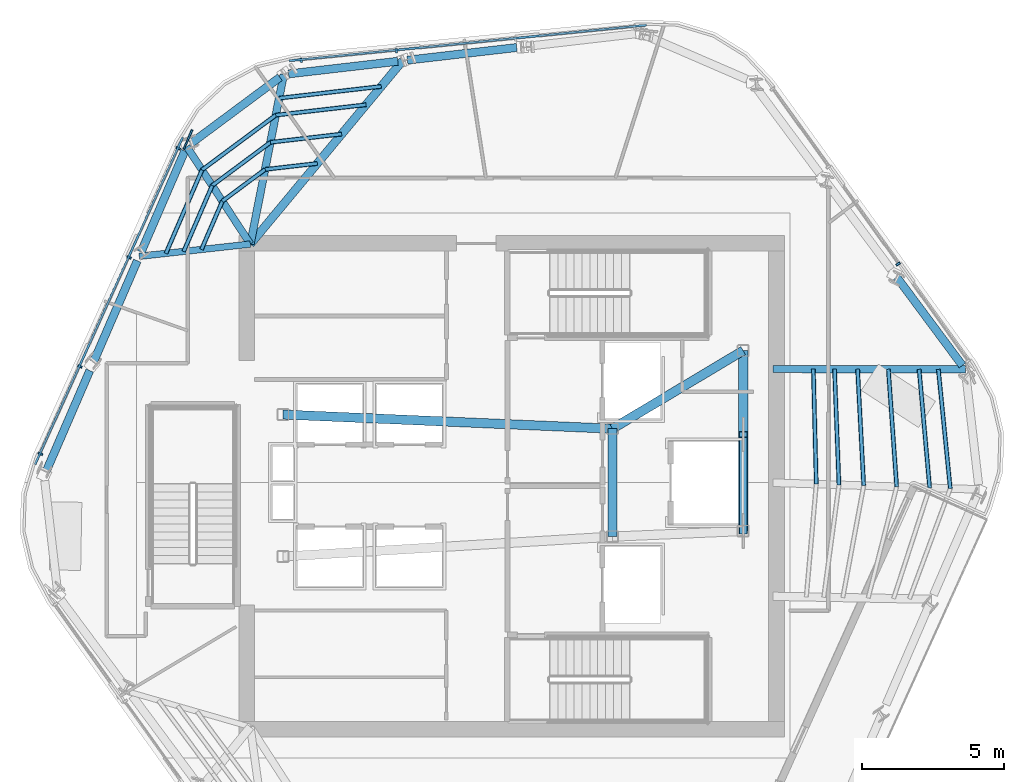
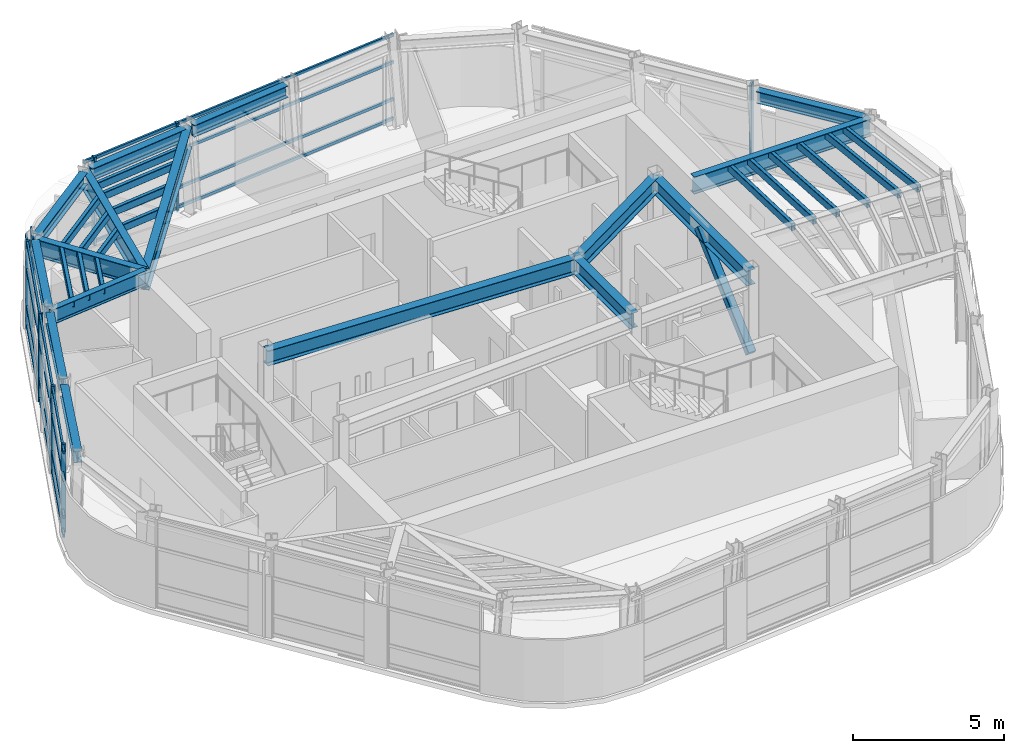
# One storey, part 3 of 12: 33 members, 16 beams, 3 elements without a shape of their own.
"""IFC4 building model written with IfcOpenShell, lengths in metres."""

from ifc_helpers import new_model, si_unit, direction, frame, origin, origin_2d, place, context, subcontext, project, spatial, rectangle, hollow_rectangle, i_section, extrude, material, layer, layer_set, material_profile, profile_set, type_object, element, aggregate, save


model = new_model("IFC4")

# Units and contexts
model_context = context("Model", 3, precision=1e-05, world=origin(), true_north=direction((0.0, 1.0)))
body_context = subcontext(model_context, "Body", "Model", "MODEL_VIEW")
ifc_project = project(units=[si_unit("LENGTHUNIT", "METRE"), si_unit("AREAUNIT", "SQUARE_METRE"), si_unit("VOLUMEUNIT", "CUBIC_METRE"), si_unit("PLANEANGLEUNIT", "RADIAN"), si_unit("MASSUNIT", "GRAM", prefix="KILO")], contexts=[model_context])

# Site, building, storey
site_placement = place(None, origin())
site = spatial("IfcSite", under=ifc_project, at=site_placement, CompositionType="ELEMENT")
building_placement = place(site_placement, origin())
building = spatial("IfcBuilding", under=site, at=building_placement, Name="Valkerne Bourse Tower", CompositionType="ELEMENT")
storey_placement = place(building_placement, frame((0.0, 0.0, 307.800048828125)))
storey = spatial("IfcBuildingStorey", under=building, at=storey_placement, Name="L78", CompositionType="ELEMENT", Elevation=307.800048828125)

# Beams
ifc_material_1 = material(Name="Steel ASTM A992", Category="steel")
ifc_material_profile_1 = material_profile(ifc_material_1, i_section(OverallWidth=0.284423828125, OverallDepth=0.47509765625, WebThickness=0.014892578125, FlangeThickness=0.02392578125, FilletRadius=0.017822265625, at=origin_2d()), Name="W18X106")
ifc_profile_set_1 = profile_set([ifc_material_profile_1], Name="Steel ASTM A992")
beam_type_1 = type_object("IfcBeamType", Name="BM-W18X106", PredefinedType="BEAM", material=ifc_profile_set_1)
for number, where, z_axis, x_axis, name in (
    (1, (46.976318359375, 42.320556640625, 3.342529296875), (-0.993372158688, -0.114942395766, 0.0), (0.114942395766, -0.993372158688, 0.0), "L78 Hexagonal Spandrel Ring Beam 01"),
    (2, (42.792236328125, 41.83642578125, 3.342529296875), (-0.993372158688, -0.114942395766, 0.0), (0.114942395766, -0.993372158688, 0.0), "L78 Hexagonal Spandrel Ring Beam 02"),
):
    element("IfcBeam", number, at=place(storey_placement, frame(where, z_axis=z_axis, x_axis=x_axis)), inside=storey, type_object=beam_type_1, Name=name, PredefinedType="BEAM", context=body_context, shape_type="SweptSolid", body=[
        extrude(i_section(OverallWidth=0.284423828125, OverallDepth=0.47509765625, WebThickness=0.014892578125, FlangeThickness=0.02392578125, FilletRadius=0.017822265625, at=origin_2d()), origin(), (0.0, 0.0, 1.0), 3.8720703125),
    ])
beam_1_placement = place(storey_placement, frame((38.640380859375, 41.2705078125, 3.342529296875), z_axis=(-0.80278222181, -0.596272340751, 0.0), x_axis=(0.596272340751, -0.80278222181, 0.0)))
element("IfcBeam", 3, at=beam_1_placement, inside=storey, type_object=beam_type_1, Name="L78 Hexagonal Spandrel Ring Beam 03", PredefinedType="BEAM", context=body_context, shape_type="SweptSolid", body=[
    extrude(i_section(OverallWidth=0.284423828125, OverallDepth=0.47509765625, WebThickness=0.014892578125, FlangeThickness=0.02392578125, FilletRadius=0.017822265625, at=origin_2d()), origin(), (0.0, 0.0, 1.0), 3.91552734375),
])
beam_2_placement = place(storey_placement, frame((35.29296875, 38.678466796875, 3.342529296875), z_axis=(-0.397173863721, -0.91774338569, 0.0), x_axis=(0.91774338569, -0.397173863721, 0.0)))
element("IfcBeam", 4, at=beam_2_placement, inside=storey, type_object=beam_type_1, Name="L78 Hexagonal Spandrel Ring Beam 04", PredefinedType="BEAM", context=body_context, shape_type="SweptSolid", body=[
    extrude(i_section(OverallWidth=0.284423828125, OverallDepth=0.47509765625, WebThickness=0.014892578125, FlangeThickness=0.02392578125, FilletRadius=0.017822265625, at=origin_2d()), origin(), (0.0, 0.0, 1.0), 3.8720703125),
])
beam_3_placement = place(storey_placement, frame((33.6201171875, 34.81298828125, 3.342529296875), z_axis=(-0.397120754749, -0.917766367954, 0.0), x_axis=(0.917766367954, -0.397120754749, 0.0)))
element("IfcBeam", 5, at=beam_3_placement, inside=storey, type_object=beam_type_1, Name="L78 Hexagonal Spandrel Ring Beam 05", PredefinedType="BEAM", context=body_context, shape_type="SweptSolid", body=[
    extrude(i_section(OverallWidth=0.284423828125, OverallDepth=0.47509765625, WebThickness=0.014892578125, FlangeThickness=0.02392578125, FilletRadius=0.017822265625, at=origin_2d()), origin(), (0.0, 0.0, 1.0), 3.871826171875),
])
beam_4_placement = place(storey_placement, frame((31.947509765625, 30.947509765625, 3.342529296875), z_axis=(-0.397150881701, -0.917753331328, 0.0), x_axis=(0.917753331328, -0.397150881701, 0.0)))
element("IfcBeam", 6, at=beam_4_placement, inside=storey, type_object=beam_type_1, Name="L78 Hexagonal Spandrel Ring Beam 06", PredefinedType="BEAM", context=body_context, shape_type="SweptSolid", body=[
    extrude(i_section(OverallWidth=0.284423828125, OverallDepth=0.47509765625, WebThickness=0.014892578125, FlangeThickness=0.02392578125, FilletRadius=0.017822265625, at=origin_2d()), origin(), (0.0, 0.0, 1.0), 3.8720703125),
])
beam_5_placement = place(storey_placement, frame((62.66748046875, 31.126220703125, 3.342529296875), z_axis=(-0.596240412331, 0.802805935892, 0.0), x_axis=(-0.802805935892, -0.596240412331, 0.0)))
element("IfcBeam", 7, at=beam_5_placement, inside=storey, type_object=beam_type_1, Name="L78 Hexagonal Spandrel Ring Beam 20", PredefinedType="BEAM", context=body_context, shape_type="SweptSolid", body=[
    extrude(i_section(OverallWidth=0.284423828125, OverallDepth=0.47509765625, WebThickness=0.014892578125, FlangeThickness=0.02392578125, FilletRadius=0.017822265625, at=origin_2d()), origin(), (0.0, 0.0, 1.0), 3.871826171875),
])
ifc_material_profile_2 = material_profile(ifc_material_1, i_section(OverallWidth=0.3251953125, OverallDepth=0.612060546875, WebThickness=0.0126953125, FlangeThickness=0.01904296875, FilletRadius=0.020263671875, at=origin_2d()), Name="W24X104")
ifc_profile_set_2 = profile_set([ifc_material_profile_2], Name="Steel ASTM A992")
beam_type_2 = type_object("IfcBeamType", Name="BM-W24X104", PredefinedType="BEAM", material=ifc_profile_set_2)
beam_6_placement = place(storey_placement, frame((50.35009765625, 25.10009765625, 3.27392578125), z_axis=(0.0, 1.0, 0.0), x_axis=(-1.0, 0.0, 0.0)))
element("IfcBeam", 8, at=beam_6_placement, inside=storey, type_object=beam_type_2, Name="L78 Core Frame Girder CG-CE", PredefinedType="BEAM", context=body_context, shape_type="SweptSolid", body=[
    extrude(i_section(OverallWidth=0.3251953125, OverallDepth=0.612060546875, WebThickness=0.0126953125, FlangeThickness=0.01904296875, FilletRadius=0.020263671875, at=origin_2d()), origin(), (0.0, 0.0, 1.0), 3.7998046875),
])
beam_7_placement = place(storey_placement, frame((50.35009765625, 28.89990234375, 3.27392578125), z_axis=(0.858307823492, 0.513135148019, 0.0), x_axis=(-0.513135148019, 0.858307823492, 0.0)))
element("IfcBeam", 9, at=beam_7_placement, inside=storey, type_object=beam_type_2, Name="L78 Core Frame Girder CG-NE", PredefinedType="BEAM", context=body_context, shape_type="SweptSolid", body=[
    extrude(i_section(OverallWidth=0.3251953125, OverallDepth=0.612060546875, WebThickness=0.0126953125, FlangeThickness=0.01904296875, FilletRadius=0.020263671875, at=origin_2d()), origin(), (0.0, 0.0, 1.0), 5.359130859375),
])
beam_8_placement = place(storey_placement, frame((54.949951171875, 25.300048828125, 3.27392578125), z_axis=(0.0, 1.0, 0.0), x_axis=(-1.0, 0.0, 0.0)))
element("IfcBeam", 10, at=beam_8_placement, inside=storey, type_object=beam_type_2, Name="L78 Core Frame Girder CG-EE", PredefinedType="BEAM", context=body_context, shape_type="SweptSolid", body=[
    extrude(i_section(OverallWidth=0.3251953125, OverallDepth=0.612060546875, WebThickness=0.0126953125, FlangeThickness=0.01904296875, FilletRadius=0.020263671875, at=origin_2d()), origin(), (0.0, 0.0, 1.0), 6.349853515625),
])
beam_9_placement = place(storey_placement, frame((38.75, 29.39990234375, 3.27392578125), z_axis=(0.999072354402, -0.043063101019, 0.0), x_axis=(0.043063101019, 0.999072354402, 0.0)))
element("IfcBeam", 11, at=beam_9_placement, inside=storey, type_object=beam_type_2, Name="L78 Core Frame Girder CG-NW", PredefinedType="BEAM", context=body_context, shape_type="SweptSolid", body=[
    extrude(i_section(OverallWidth=0.3251953125, OverallDepth=0.612060546875, WebThickness=0.0126953125, FlangeThickness=0.01904296875, FilletRadius=0.020263671875, at=origin_2d()), origin(), (0.0, 0.0, 1.0), 11.61083984375),
])
ifc_material_profile_3 = material_profile(ifc_material_1, i_section(OverallWidth=0.228271484375, OverallDepth=0.607177734375, WebThickness=0.01123046875, FlangeThickness=0.017333984375, FilletRadius=0.017822265625, at=origin_2d()), Name="W24X76")
ifc_profile_set_3 = profile_set([ifc_material_profile_3], Name="Steel ASTM A992")
beam_type_3 = type_object("IfcBeamType", Name="BM-W24X76", PredefinedType="JOIST", material=ifc_profile_set_3)
beam_10_placement = place(storey_placement, frame((33.687744140625, 34.968994140625, 3.2763671875), z_axis=(0.993989178124, 0.109478371257, 0.0), x_axis=(-0.109478371257, 0.993989178124, 0.0)))
element("IfcBeam", 12, at=beam_10_placement, inside=storey, type_object=beam_type_3, Name="L78 Radial Composite Floor Beam 05", PredefinedType="JOIST", context=body_context, shape_type="SweptSolid", body=[
    extrude(i_section(OverallWidth=0.228271484375, OverallDepth=0.607177734375, WebThickness=0.01123046875, FlangeThickness=0.017333984375, FilletRadius=0.017822265625, at=origin_2d()), origin(), (0.0, 0.0, 1.0), 3.93603515625),
])
ifc_material_profile_4 = material_profile(ifc_material_1, i_section(OverallWidth=0.255859375, OverallDepth=0.693359375, WebThickness=0.014404296875, FlangeThickness=0.023681640625, FilletRadius=0.02294921875, at=origin_2d()), Name="W27X114")
ifc_profile_set_4 = profile_set([ifc_material_profile_4], Name="Steel ASTM A992")
beam_type_4 = type_object("IfcBeamType", Name="BM-W27X114", PredefinedType="BEAM", material=ifc_profile_set_4)
beam_11_placement = place(storey_placement, frame((35.360595703125, 38.83447265625, 3.233154296875), z_axis=(0.546193309421, -0.837659160246, 0.0), x_axis=(0.837659160246, 0.546193309421, 0.0)))
element("IfcBeam", 13, at=beam_11_placement, inside=storey, type_object=beam_type_4, Name="L78 Radial Composite Floor Beam 04", PredefinedType="BEAM", context=body_context, shape_type="SweptSolid", body=[
    extrude(i_section(OverallWidth=0.255859375, OverallDepth=0.693359375, WebThickness=0.014404296875, FlangeThickness=0.023681640625, FilletRadius=0.02294921875, at=origin_2d()), origin(), (0.0, 0.0, 1.0), 4.10009765625),
])
beam_12_placement = place(storey_placement, frame((62.768798828125, 30.98974609375, 3.233154296875), z_axis=(-0.999998852574, 0.00151487653, 0.0), x_axis=(-0.00151487653, -0.999998852574, 0.0)))
element("IfcBeam", 14, at=beam_12_placement, inside=storey, type_object=beam_type_4, Name="L78 Radial Composite Floor Beam 20", PredefinedType="BEAM", context=body_context, shape_type="SweptSolid", body=[
    extrude(i_section(OverallWidth=0.255859375, OverallDepth=0.693359375, WebThickness=0.014404296875, FlangeThickness=0.023681640625, FilletRadius=0.02294921875, at=origin_2d()), origin(), (0.0, 0.0, 1.0), 6.768798828125),
])
ifc_material_profile_5 = material_profile(ifc_material_1, i_section(OverallWidth=0.26806640625, OverallDepth=0.76953125, WebThickness=0.015625, FlangeThickness=0.025390625, FilletRadius=0.025390625, at=origin_2d()), Name="W30X132")
ifc_profile_set_5 = profile_set([ifc_material_profile_5], Name="Steel ASTM A992")
beam_type_5 = type_object("IfcBeamType", Name="BM-W30X132", PredefinedType="BEAM", material=ifc_profile_set_5)
beam_13_placement = place(storey_placement, frame((38.777099609375, 41.371826171875, 3.195068359375), z_axis=(-0.193369386964, -0.981126026658, 0.0), x_axis=(0.981126026658, -0.193369386964, 0.0)))
element("IfcBeam", 15, at=beam_13_placement, inside=storey, type_object=beam_type_5, Name="L78 Radial Composite Floor Beam 03", PredefinedType="BEAM", context=body_context, shape_type="SweptSolid", body=[
    extrude(i_section(OverallWidth=0.26806640625, OverallDepth=0.76953125, WebThickness=0.015625, FlangeThickness=0.025390625, FilletRadius=0.025390625, at=origin_2d()), origin(), (0.0, 0.0, 1.0), 6.0869140625),
])
ifc_material_profile_6 = material_profile(ifc_material_1, i_section(OverallWidth=0.2919921875, OverallDepth=0.8583984375, WebThickness=0.01708984375, FlangeThickness=0.031005859375, FilletRadius=0.025390625, at=origin_2d()), Name="W33X169")
ifc_profile_set_6 = profile_set([ifc_material_profile_6], Name="Steel ASTM A992")
beam_type_6 = type_object("IfcBeamType", Name="BM-W33X169", PredefinedType="BEAM", material=ifc_profile_set_6)
beam_14_placement = place(storey_placement, frame((42.961181640625, 41.85595703125, 3.150634765625), z_axis=(-0.638849933327, -0.769331373783, 0.0), x_axis=(0.769331373783, -0.638849933327, 0.0)))
element("IfcBeam", 16, at=beam_14_placement, inside=storey, type_object=beam_type_6, Name="L78 Radial Composite Floor Beam 02", PredefinedType="BEAM", context=body_context, shape_type="SweptSolid", body=[
    extrude(i_section(OverallWidth=0.2919921875, OverallDepth=0.8583984375, WebThickness=0.01708984375, FlangeThickness=0.031005859375, FilletRadius=0.025390625, at=origin_2d()), origin(), (0.0, 0.0, 1.0), 8.391845703125),
])

# Curtain wall, members
ifc_material_2 = material(Name="Aluminium AA 6063-T6", Category="aluminium")
ifc_layer = layer(ifc_material_2, 0.2451171875)
ifc_layer_set = layer_set([ifc_layer], Name="Aluminium AA 6063-T6")
curtain_wall_type = type_object("IfcCurtainWallType", Name="CW-05", PredefinedType="NOTDEFINED", material=ifc_layer_set)
curtain_wall_1_placement = place(storey_placement, origin())
curtain_wall_1 = element("IfcCurtainWall", 17, at=curtain_wall_1_placement, inside=storey, type_object=curtain_wall_type, Name="L78 Hexagonal Stick Curtain Wall Face 1", PredefinedType="NOTDEFINED")
ifc_material_profile_7 = material_profile(ifc_material_2, rectangle(XDim=0.074951171875, YDim=0.159912109375, at=origin_2d()), Name="CWM-75X160")
ifc_profile_set_7 = profile_set([ifc_material_profile_7], Name="Aluminium AA 6063-T6")
member_type_1 = type_object("IfcMemberType", Name="CW-MUL-160X75", PredefinedType="MULLION", material=ifc_profile_set_7)
member_1_placement = place(storey_placement, frame((42.7431640625, 42.2109375, 0.0), z_axis=(0.0, 0.0, 1.0), x_axis=(-0.995056446869, -0.099310963863, 0.0)))
member_1 = element("IfcMember", 18, at=member_1_placement, type_object=member_type_1, Name="CW-L78-F1 Jamb Mullion 02A", PredefinedType="MULLION", context=body_context, shape_type="SweptSolid", body=[
    extrude(rectangle(XDim=0.074951171875, YDim=0.159912109375, at=origin_2d()), origin(), (0.0, 0.0, 1.0), 3.579833984375),
])
member_2_placement = place(storey_placement, frame((39.387939453125, 41.876220703125, 0.0), z_axis=(0.0, 0.0, 1.0), x_axis=(-0.995056446869, -0.099310963863, 0.0)))
member_2 = element("IfcMember", 19, at=member_2_placement, type_object=member_type_1, Name="CW-L78-F1 Jamb Mullion 02B", PredefinedType="MULLION", context=body_context, shape_type="SweptSolid", body=[
    extrude(rectangle(XDim=0.074951171875, YDim=0.159912109375, at=origin_2d()), origin(), (0.0, 0.0, 1.0), 3.579833984375),
])

curtain_wall_2_placement = place(storey_placement, origin())
curtain_wall_2 = element("IfcCurtainWall", 20, at=curtain_wall_2_placement, inside=storey, type_object=curtain_wall_type, Name="L78 Hexagonal Stick Curtain Wall Face 2", PredefinedType="NOTDEFINED")
member_3_placement = place(storey_placement, frame((35.065185546875, 38.769775390625, 0.0), z_axis=(0.0, 0.0, 1.0), x_axis=(-0.411517383555, -0.911401910812, 0.0)))
member_3 = element("IfcMember", 21, at=member_3_placement, type_object=member_type_1, Name="CW-L78-F2 Jamb Mullion 00A", PredefinedType="MULLION", context=body_context, shape_type="SweptSolid", body=[
    extrude(rectangle(XDim=0.074951171875, YDim=0.159912109375, at=origin_2d()), origin(), (0.0, 0.0, 1.0), 3.579833984375),
])
member_4_placement = place(storey_placement, frame((33.331787109375, 34.930908203125, 0.0), z_axis=(0.0, 0.0, 1.0), x_axis=(-0.411517383555, -0.911401910812, 0.0)))
member_4 = element("IfcMember", 22, at=member_4_placement, type_object=member_type_1, Name="CW-L78-F2 Jamb Mullion 01A", PredefinedType="MULLION", context=body_context, shape_type="SweptSolid", body=[
    extrude(rectangle(XDim=0.074951171875, YDim=0.159912109375, at=origin_2d()), origin(), (0.0, 0.0, 1.0), 3.579833984375),
])
member_5_placement = place(storey_placement, frame((31.598388671875, 31.09228515625, 0.0), z_axis=(0.0, 0.0, 1.0), x_axis=(-0.411517383555, -0.911401910812, 0.0)))
member_5 = element("IfcMember", 23, at=member_5_placement, type_object=member_type_1, Name="CW-L78-F2 Jamb Mullion 02A", PredefinedType="MULLION", context=body_context, shape_type="SweptSolid", body=[
    extrude(rectangle(XDim=0.074951171875, YDim=0.159912109375, at=origin_2d()), origin(), (0.0, 0.0, 1.0), 3.579833984375),
])
member_6_placement = place(storey_placement, frame((30.2109375, 28.01904296875, 0.0), z_axis=(0.0, 0.0, 1.0), x_axis=(-0.411517383555, -0.911401910812, 0.0)))
member_6 = element("IfcMember", 24, at=member_6_placement, type_object=member_type_1, Name="CW-L78-F2 Jamb Mullion 02B", PredefinedType="MULLION", context=body_context, shape_type="SweptSolid", body=[
    extrude(rectangle(XDim=0.074951171875, YDim=0.159912109375, at=origin_2d()), origin(), (0.0, 0.0, 1.0), 3.579833984375),
])

# Curtain wall, member
curtain_wall_3_placement = place(storey_placement, origin())
curtain_wall_3 = element("IfcCurtainWall", 25, at=curtain_wall_3_placement, inside=storey, type_object=curtain_wall_type, Name="L78 Hexagonal Stick Curtain Wall Face 6", PredefinedType="NOTDEFINED")
member_7_placement = place(storey_placement, frame((60.402587890625, 34.6982421875, 0.0), z_axis=(0.0, 0.0, 1.0), x_axis=(-0.583544563646, 0.812081118016, 0.0)))
member_7 = element("IfcMember", 26, at=member_7_placement, type_object=member_type_1, Name="CW-L78-F6 Jamb Mullion 01A", PredefinedType="MULLION", context=body_context, shape_type="SweptSolid", body=[
    extrude(rectangle(XDim=0.074951171875, YDim=0.159912109375, at=origin_2d()), origin(), (0.0, 0.0, 1.0), 3.579833984375),
])
aggregate(curtain_wall_3, [member_7])

# Member
ifc_material_profile_8 = material_profile(ifc_material_2, rectangle(XDim=0.074951171875, YDim=0.1201171875, at=origin_2d()), Name="CWT-75X120")
ifc_profile_set_8 = profile_set([ifc_material_profile_8], Name="Aluminium AA 6063-T6")
member_type_2 = type_object("IfcMemberType", Name="CW-TRN-120X75", PredefinedType="USERDEFINED", material=ifc_profile_set_8)
member_8_placement = place(storey_placement, frame((51.54150390625, 43.109375, 0.119873046875), z_axis=(-0.995054583078, -0.099329636543, 0.0), x_axis=(0.099329636543, -0.995054583078, 0.0)))
member_8 = element("IfcMember", 27, at=member_8_placement, type_object=member_type_2, Name="CW-L78-F1 Continuous Face Transom 1", ObjectType="TRANSOM", PredefinedType="USERDEFINED", context=body_context, shape_type="SweptSolid", body=[
    extrude(rectangle(XDim=0.074951171875, YDim=0.1201171875, at=origin_2d()), origin(), (0.0, 0.0, 1.0), 12.635986328125),
])

member_9_placement = place(storey_placement, frame((51.54150390625, 43.109375, 0.89990234375), z_axis=(-0.995054583078, -0.099329636543, 0.0), x_axis=(0.099329636543, -0.995054583078, 0.0)))
member_9 = element("IfcMember", 28, at=member_9_placement, type_object=member_type_2, Name="CW-L78-F1 Continuous Face Transom 2", ObjectType="TRANSOM", PredefinedType="USERDEFINED", context=body_context, shape_type="SweptSolid", body=[
    extrude(rectangle(XDim=0.074951171875, YDim=0.1201171875, at=origin_2d()), origin(), (0.0, 0.0, 1.0), 12.635986328125),
])

member_10_placement = place(storey_placement, frame((51.54150390625, 43.109375, 2.39990234375), z_axis=(-0.995054583078, -0.099329636543, 0.0), x_axis=(0.099329636543, -0.995054583078, 0.0)))
member_10 = element("IfcMember", 29, at=member_10_placement, type_object=member_type_2, Name="CW-L78-F1 Continuous Face Transom 3", ObjectType="TRANSOM", PredefinedType="USERDEFINED", context=body_context, shape_type="SweptSolid", body=[
    extrude(rectangle(XDim=0.074951171875, YDim=0.1201171875, at=origin_2d()), origin(), (0.0, 0.0, 1.0), 12.635986328125),
])

member_11_placement = place(storey_placement, frame((51.54150390625, 43.109375, 3.5), z_axis=(-0.995054583078, -0.099329636543, 0.0), x_axis=(0.099329636543, -0.995054583078, 0.0)))
member_11 = element("IfcMember", 30, at=member_11_placement, type_object=member_type_2, Name="CW-L78-F1 Continuous Face Transom 4", ObjectType="TRANSOM", PredefinedType="USERDEFINED", context=body_context, shape_type="SweptSolid", body=[
    extrude(rectangle(XDim=0.074951171875, YDim=0.1201171875, at=origin_2d()), origin(), (0.0, 0.0, 1.0), 12.635986328125),
])

aggregate(curtain_wall_1, [member_8, member_9, member_10, member_11, member_1, member_2])

member_12_placement = place(storey_placement, frame((35.2197265625, 39.160888671875, 0.119873046875), z_axis=(-0.411514764758, -0.91140309325, 0.0), x_axis=(0.91140309325, -0.411514764758, 0.0)))
member_12 = element("IfcMember", 31, at=member_12_placement, type_object=member_type_2, Name="CW-L78-F2 Continuous Face Transom 1", ObjectType="TRANSOM", PredefinedType="USERDEFINED", context=body_context, shape_type="SweptSolid", body=[
    extrude(rectangle(XDim=0.074951171875, YDim=0.1201171875, at=origin_2d()), origin(), (0.0, 0.0, 1.0), 12.63623046875),
])

member_13_placement = place(storey_placement, frame((35.2197265625, 39.160888671875, 0.89990234375), z_axis=(-0.411514764758, -0.91140309325, 0.0), x_axis=(0.91140309325, -0.411514764758, 0.0)))
member_13 = element("IfcMember", 32, at=member_13_placement, type_object=member_type_2, Name="CW-L78-F2 Continuous Face Transom 2", ObjectType="TRANSOM", PredefinedType="USERDEFINED", context=body_context, shape_type="SweptSolid", body=[
    extrude(rectangle(XDim=0.074951171875, YDim=0.1201171875, at=origin_2d()), origin(), (0.0, 0.0, 1.0), 12.63623046875),
])

member_14_placement = place(storey_placement, frame((35.2197265625, 39.160888671875, 2.39990234375), z_axis=(-0.411514764758, -0.91140309325, 0.0), x_axis=(0.91140309325, -0.411514764758, 0.0)))
member_14 = element("IfcMember", 33, at=member_14_placement, type_object=member_type_2, Name="CW-L78-F2 Continuous Face Transom 3", ObjectType="TRANSOM", PredefinedType="USERDEFINED", context=body_context, shape_type="SweptSolid", body=[
    extrude(rectangle(XDim=0.074951171875, YDim=0.1201171875, at=origin_2d()), origin(), (0.0, 0.0, 1.0), 12.63623046875),
])

member_15_placement = place(storey_placement, frame((35.2197265625, 39.160888671875, 3.5), z_axis=(-0.411514764758, -0.91140309325, 0.0), x_axis=(0.91140309325, -0.411514764758, 0.0)))
member_15 = element("IfcMember", 34, at=member_15_placement, type_object=member_type_2, Name="CW-L78-F2 Continuous Face Transom 4", ObjectType="TRANSOM", PredefinedType="USERDEFINED", context=body_context, shape_type="SweptSolid", body=[
    extrude(rectangle(XDim=0.074951171875, YDim=0.1201171875, at=origin_2d()), origin(), (0.0, 0.0, 1.0), 12.63623046875),
])

aggregate(curtain_wall_2, [member_12, member_13, member_14, member_15, member_3, member_4, member_5, member_6])

# Members
ifc_material_3 = material(Name="Bronze Anodised Aluminium AA 6063-T6", Category="aluminium")
ifc_material_profile_9 = material_profile(ifc_material_3, rectangle(XDim=0.06494140625, YDim=0.75, at=origin_2d()), Name="FIN-65X750")
ifc_profile_set_9 = profile_set([ifc_material_profile_9], Name="Bronze Anodised Aluminium AA 6063-T6")
member_type_3 = type_object("IfcMemberType", Name="FIN-SOLAR-650", PredefinedType="USERDEFINED", material=ifc_profile_set_9)
member_16_placement = place(storey_placement, frame((35.402099609375, 39.07861328125, 0.00390625), z_axis=(0.0, 0.0, 1.0), x_axis=(-0.916077787019, 0.40100060864, 0.0)))
element("IfcMember", 35, at=member_16_placement, inside=storey, type_object=member_type_3, Name="L78 Bronze Anodised Solar Fin F2-00", ObjectType="SOLAR_FIN", PredefinedType="USERDEFINED", context=body_context, shape_type="SweptSolid", body=[
    extrude(rectangle(XDim=0.06494140625, YDim=0.75, at=origin_2d()), origin(), (0.0, 0.0, 1.0), 3.572021484375),
])
ifc_material_4 = material(Name="Steel ASTM A500 Grade C", Category="steel")
ifc_material_profile_10 = material_profile(ifc_material_4, hollow_rectangle(XDim=0.14990234375, YDim=0.300048828125, WallThickness=0.012451171875, OuterFilletRadius=0.02490234375, at=origin_2d()), Name="HSS300X150X12.5")
ifc_profile_set_10 = profile_set([ifc_material_profile_10], Name="Steel ASTM A500 Grade C")
member_type_4 = type_object("IfcMemberType", Name="MBR-HSS300X150X12.5", PredefinedType="PURLIN", material=ifc_profile_set_10)
member_17_placement = place(storey_placement, frame((58.322509765625, 26.923828125, 3.419921875), z_axis=(-0.038396314588, 0.999262589626, 0.0), x_axis=(-0.999262589626, -0.038396314588, 0.0)))
element("IfcMember", 36, at=member_17_placement, inside=storey, type_object=member_type_4, Name="L78 Secondary Composite Floor Purlin I-19", PredefinedType="PURLIN", context=body_context, shape_type="SweptSolid", body=[
    extrude(hollow_rectangle(XDim=0.14990234375, YDim=0.300048828125, WallThickness=0.012451171875, OuterFilletRadius=0.02490234375, at=origin_2d()), origin(), (0.0, 0.0, 1.0), 4.07568359375),
])
member_18_placement = place(storey_placement, frame((39.958984375, 38.240478515625, 3.419921875), z_axis=(-0.99338063646, -0.114869104229, 0.0), x_axis=(0.114869104229, -0.99338063646, 0.0)))
element("IfcMember", 37, at=member_18_placement, inside=storey, type_object=member_type_4, Name="L78 Secondary Composite Floor Purlin K-02", PredefinedType="PURLIN", context=body_context, shape_type="SweptSolid", body=[
    extrude(hollow_rectangle(XDim=0.14990234375, YDim=0.300048828125, WallThickness=0.012451171875, OuterFilletRadius=0.02490234375, at=origin_2d()), origin(), (0.0, 0.0, 1.0), 1.853271484375),
])
member_19_placement = place(storey_placement, frame((38.117919921875, 38.027587890625, 3.419921875), z_axis=(-0.802838343034, -0.596196775364, 0.0), x_axis=(0.596196775364, -0.802838343034, 0.0)))
element("IfcMember", 38, at=member_19_placement, inside=storey, type_object=member_type_4, Name="L78 Secondary Composite Floor Purlin K-03", PredefinedType="PURLIN", context=body_context, shape_type="SweptSolid", body=[
    extrude(hollow_rectangle(XDim=0.14990234375, YDim=0.300048828125, WallThickness=0.012451171875, OuterFilletRadius=0.02490234375, at=origin_2d()), origin(), (0.0, 0.0, 1.0), 1.87255859375),
])
member_20_placement = place(storey_placement, frame((36.614501953125, 36.9111328125, 3.419921875), z_axis=(-0.397049123355, -0.917797359793, 0.0), x_axis=(0.917797359793, -0.397049123355, 0.0)))
element("IfcMember", 39, at=member_20_placement, inside=storey, type_object=member_type_4, Name="L78 Secondary Composite Floor Purlin K-04", PredefinedType="PURLIN", context=body_context, shape_type="SweptSolid", body=[
    extrude(hollow_rectangle(XDim=0.14990234375, YDim=0.300048828125, WallThickness=0.012451171875, OuterFilletRadius=0.02490234375, at=origin_2d()), origin(), (0.0, 0.0, 1.0), 1.853271484375),
])
member_21_placement = place(storey_placement, frame((59.193603515625, 26.8955078125, 3.419921875), z_axis=(-0.052446477049, 0.998623736472, 0.0), x_axis=(-0.998623736472, -0.052446477049, 0.0)))
element("IfcMember", 40, at=member_21_placement, inside=storey, type_object=member_type_4, Name="L78 Secondary Composite Floor Purlin K-19", PredefinedType="PURLIN", context=body_context, shape_type="SweptSolid", body=[
    extrude(hollow_rectangle(XDim=0.14990234375, YDim=0.300048828125, WallThickness=0.012451171875, OuterFilletRadius=0.02490234375, at=origin_2d()), origin(), (0.0, 0.0, 1.0), 4.105712890625),
])
member_22_placement = place(storey_placement, frame((41.67431640625, 40.306640625, 3.419921875), z_axis=(-0.993373148027, -0.114933845227, 0.0), x_axis=(0.114933845227, -0.993373148027, 0.0)))
element("IfcMember", 41, at=member_22_placement, inside=storey, type_object=member_type_4, Name="L78 Secondary Composite Floor Purlin O-02", PredefinedType="PURLIN", context=body_context, shape_type="SweptSolid", body=[
    extrude(hollow_rectangle(XDim=0.14990234375, YDim=0.300048828125, WallThickness=0.012451171875, OuterFilletRadius=0.02490234375, at=origin_2d()), origin(), (0.0, 0.0, 1.0), 3.201171875),
])
member_23_placement = place(storey_placement, frame((38.494384765625, 39.938720703125, 3.419921875), z_axis=(-0.802790304359, -0.596261458781, 0.0), x_axis=(0.596261458781, -0.802790304359, 0.0)))
element("IfcMember", 42, at=member_23_placement, inside=storey, type_object=member_type_4, Name="L78 Secondary Composite Floor Purlin O-03", PredefinedType="PURLIN", context=body_context, shape_type="SweptSolid", body=[
    extrude(hollow_rectangle(XDim=0.14990234375, YDim=0.300048828125, WallThickness=0.012451171875, OuterFilletRadius=0.02490234375, at=origin_2d()), origin(), (0.0, 0.0, 1.0), 3.234375),
])
member_24_placement = place(storey_placement, frame((35.89794921875, 38.01025390625, 3.419921875), z_axis=(-0.39713863473, -0.917758631016, 0.0), x_axis=(0.917758631016, -0.39713863473, 0.0)))
element("IfcMember", 43, at=member_24_placement, inside=storey, type_object=member_type_4, Name="L78 Secondary Composite Floor Purlin O-04", PredefinedType="PURLIN", context=body_context, shape_type="SweptSolid", body=[
    extrude(hollow_rectangle(XDim=0.14990234375, YDim=0.300048828125, WallThickness=0.012451171875, OuterFilletRadius=0.02490234375, at=origin_2d()), origin(), (0.0, 0.0, 1.0), 3.200927734375),
])
member_25_placement = place(storey_placement, frame((61.51611328125, 26.8193359375, 3.419921875), z_axis=(-0.088754361579, 0.996053544394, 0.0), x_axis=(-0.996053544394, -0.088754361579, 0.0)))
element("IfcMember", 44, at=member_25_placement, inside=storey, type_object=member_type_4, Name="L78 Secondary Composite Floor Purlin O-19", PredefinedType="PURLIN", context=body_context, shape_type="SweptSolid", body=[
    extrude(hollow_rectangle(XDim=0.14990234375, YDim=0.300048828125, WallThickness=0.012451171875, OuterFilletRadius=0.02490234375, at=origin_2d()), origin(), (0.0, 0.0, 1.0), 4.189453125),
])
member_26_placement = place(storey_placement, frame((40.816650390625, 39.273681640625, 3.419921875), z_axis=(-0.993370379594, -0.114957770273, 0.0), x_axis=(0.114957770273, -0.993370379594, 0.0)))
element("IfcMember", 45, at=member_26_placement, inside=storey, type_object=member_type_4, Name="L78 Secondary Composite Floor Purlin Z-02", PredefinedType="PURLIN", context=body_context, shape_type="SweptSolid", body=[
    extrude(hollow_rectangle(XDim=0.14990234375, YDim=0.300048828125, WallThickness=0.012451171875, OuterFilletRadius=0.02490234375, at=origin_2d()), origin(), (0.0, 0.0, 1.0), 2.52734375),
])
member_27_placement = place(storey_placement, frame((38.30615234375, 38.983154296875, 3.419921875), z_axis=(-0.802790924076, -0.596260624409, 0.0), x_axis=(0.596260624409, -0.802790924076, 0.0)))
element("IfcMember", 46, at=member_27_placement, inside=storey, type_object=member_type_4, Name="L78 Secondary Composite Floor Purlin Z-03", PredefinedType="PURLIN", context=body_context, shape_type="SweptSolid", body=[
    extrude(hollow_rectangle(XDim=0.14990234375, YDim=0.300048828125, WallThickness=0.012451171875, OuterFilletRadius=0.02490234375, at=origin_2d()), origin(), (0.0, 0.0, 1.0), 2.553466796875),
])
member_28_placement = place(storey_placement, frame((36.25634765625, 37.460693359375, 3.419921875), z_axis=(-0.397146499123, -0.917755227844, 0.0), x_axis=(0.917755227844, -0.397146499123, 0.0)))
element("IfcMember", 47, at=member_28_placement, inside=storey, type_object=member_type_4, Name="L78 Secondary Composite Floor Purlin Z-04", PredefinedType="PURLIN", context=body_context, shape_type="SweptSolid", body=[
    extrude(hollow_rectangle(XDim=0.14990234375, YDim=0.300048828125, WallThickness=0.012451171875, OuterFilletRadius=0.02490234375, at=origin_2d()), origin(), (0.0, 0.0, 1.0), 2.527099609375),
])
member_29_placement = place(storey_placement, frame((60.354736328125, 26.857421875, 3.419921875), z_axis=(-0.070765893156, 0.997492951537, 0.0), x_axis=(-0.997492951537, -0.070765893156, 0.0)))
element("IfcMember", 48, at=member_29_placement, inside=storey, type_object=member_type_4, Name="L78 Secondary Composite Floor Purlin Z-19", PredefinedType="PURLIN", context=body_context, shape_type="SweptSolid", body=[
    extrude(hollow_rectangle(XDim=0.14990234375, YDim=0.300048828125, WallThickness=0.012451171875, OuterFilletRadius=0.02490234375, at=origin_2d()), origin(), (0.0, 0.0, 1.0), 4.14697265625),
])
member_30_placement = place(storey_placement, frame((57.524169921875, 26.9501953125, 3.419921875), z_axis=(-0.025385386825, 0.999677739142, 0.0), x_axis=(-0.999677739142, -0.025385386825, 0.0)))
element("IfcMember", 49, at=member_30_placement, inside=storey, type_object=member_type_4, Name="L78 Secondary Composite Floor Purlin S-19", PredefinedType="PURLIN", context=body_context, shape_type="SweptSolid", body=[
    extrude(hollow_rectangle(XDim=0.14990234375, YDim=0.300048828125, WallThickness=0.012451171875, OuterFilletRadius=0.02490234375, at=origin_2d()), origin(), (0.0, 0.0, 1.0), 4.048828125),
])
member_31_placement = place(storey_placement, frame((42.21044921875, 40.9521484375, 3.419921875), z_axis=(-0.993366952448, -0.11498738098, 0.0), x_axis=(0.11498738098, -0.993366952448, 0.0)))
element("IfcMember", 50, at=member_31_placement, inside=storey, type_object=member_type_4, Name="L78 Secondary Composite Floor Purlin T-02", PredefinedType="PURLIN", context=body_context, shape_type="SweptSolid", body=[
    extrude(hollow_rectangle(XDim=0.14990234375, YDim=0.300048828125, WallThickness=0.012451171875, OuterFilletRadius=0.02490234375, at=origin_2d()), origin(), (0.0, 0.0, 1.0), 3.6220703125),
])
member_32_placement = place(storey_placement, frame((62.24169921875, 26.79541015625, 3.419921875), z_axis=(-0.099698617873, 0.995017681046, 0.0), x_axis=(-0.995017681046, -0.099698617873, 0.0)))
element("IfcMember", 51, at=member_32_placement, inside=storey, type_object=member_type_4, Name="L78 Secondary Composite Floor Purlin T-19", PredefinedType="PURLIN", context=body_context, shape_type="SweptSolid", body=[
    extrude(hollow_rectangle(XDim=0.14990234375, YDim=0.300048828125, WallThickness=0.012451171875, OuterFilletRadius=0.02490234375, at=origin_2d()), origin(), (0.0, 0.0, 1.0), 4.216796875),
])
ifc_material_profile_11 = material_profile(ifc_material_4, hollow_rectangle(XDim=0.300048828125, YDim=0.300048828125, WallThickness=0.012451171875, OuterFilletRadius=0.02490234375, at=origin_2d()), Name="HSS300X300X12.5")
ifc_profile_set_11 = profile_set([ifc_material_profile_11], Name="Steel ASTM A500 Grade C")
member_type_5 = type_object("IfcMemberType", Name="MBR-HSS300X300X12.5", PredefinedType="STRUT", material=ifc_profile_set_11)
member_33_placement = place(storey_placement, frame((54.949951171875, 25.300048828125, 0.219970703125), z_axis=(0.0, 0.743941933778, 0.668244266094), x_axis=(-1.0, 0.0, 0.0)))
element("IfcMember", 52, at=member_33_placement, inside=storey, type_object=member_type_5, Name="L78 Core Service Pier Lateral Brace", PredefinedType="STRUT", context=body_context, shape_type="SweptSolid", body=[
    extrude(hollow_rectangle(XDim=0.300048828125, YDim=0.300048828125, WallThickness=0.012451171875, OuterFilletRadius=0.02490234375, at=origin_2d()), origin(), (0.0, 0.0, 1.0), 4.570068359375),
])

save(model, "model.ifc")
